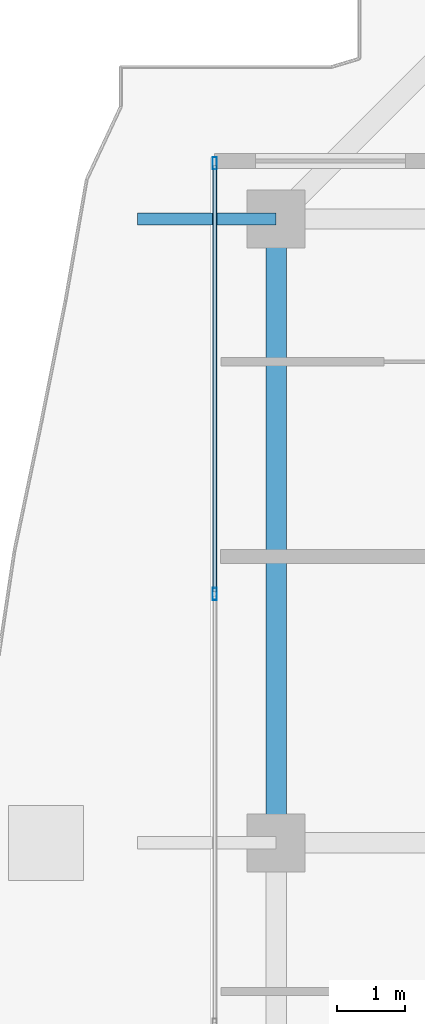
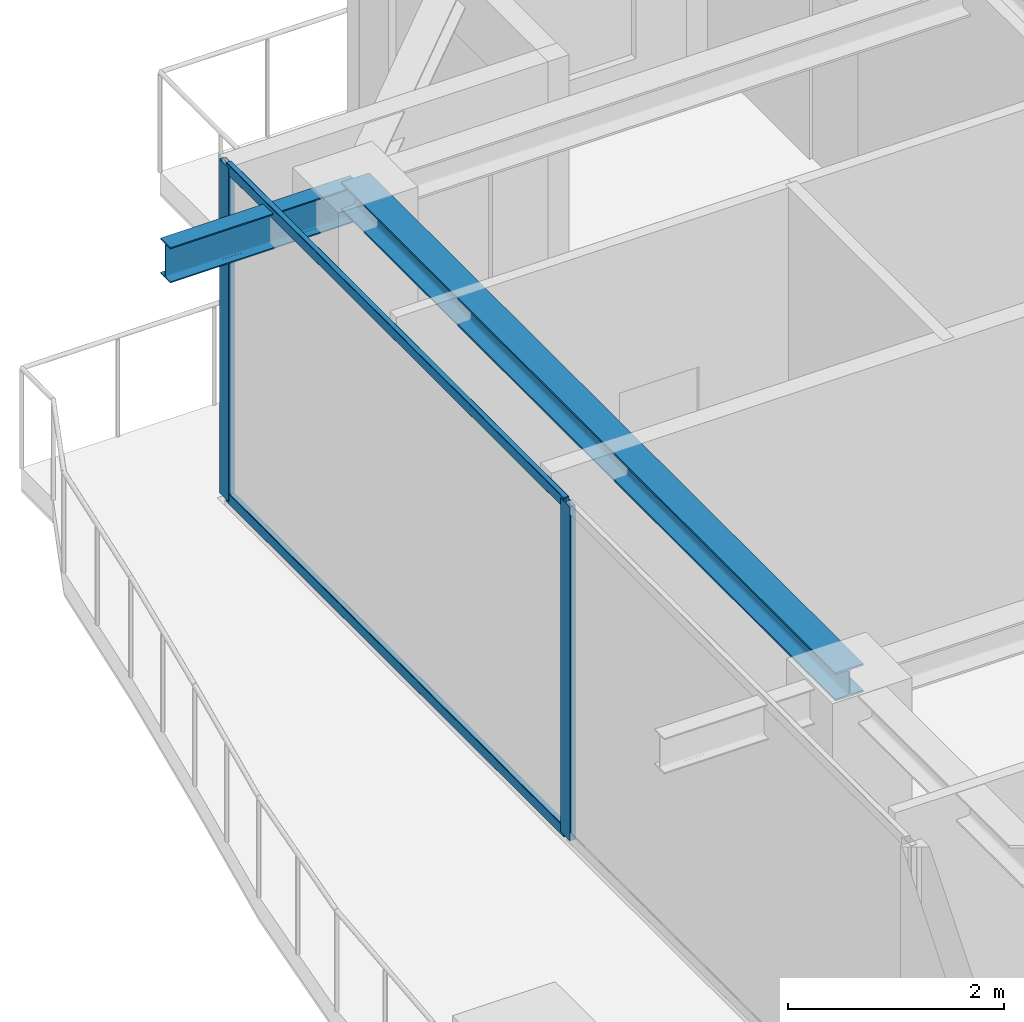
# One storey, part 16 of 36: 4 members, 2 beams, 1 element without a shape of its own.
"""IFC4 building model written with IfcOpenShell, lengths in metres."""

from ifc_helpers import new_model, si_unit, direction, frame, origin, origin_2d, place, context, subcontext, project, spatial, hollow_rectangle, i_section, extrude, source, transform, mapped, material, layer, layer_set, material_profile, profile_set, type_object, element, aggregate, save


model = new_model("IFC4")

# Units and contexts
model_context = context("Model", 3, precision=1e-05, world=origin(), true_north=direction((0.0, 1.0)))
body_context = subcontext(model_context, "Body", "Model", "MODEL_VIEW")
ifc_project = project(units=[si_unit("LENGTHUNIT", "METRE"), si_unit("AREAUNIT", "SQUARE_METRE"), si_unit("VOLUMEUNIT", "CUBIC_METRE"), si_unit("PLANEANGLEUNIT", "RADIAN"), si_unit("MASSUNIT", "GRAM", prefix="KILO")], contexts=[model_context])

# Site, building, storey
site_placement = place(None, origin())
site = spatial("IfcSite", under=ifc_project, at=site_placement, CompositionType="ELEMENT")
building_placement = place(site_placement, origin())
building = spatial("IfcBuilding", under=site, at=building_placement, Name="Serunith Strait Residences", CompositionType="ELEMENT")
storey_placement = place(building_placement, frame((0.0, 0.0, 338.0)))
storey = spatial("IfcBuildingStorey", under=building, at=storey_placement, Name="L84", CompositionType="ELEMENT", Elevation=338.0)

# Beams
ifc_material_1 = material(Name="Steel S355J2", Category="steel")
ifc_material_profile_1 = material_profile(ifc_material_1, i_section(OverallWidth=0.300048828125, OverallDepth=0.320068359375, WebThickness=0.011474609375, FlangeThickness=0.0205078125, FilletRadius=0.027099609375, at=origin_2d()), Name="HEB 320")
ifc_profile_set_1 = profile_set([ifc_material_profile_1], Name="Steel S355J2")
beam_type_1 = type_object("IfcBeamType", Name="BM-HEB320", PredefinedType="BEAM", material=ifc_profile_set_1)
shared_shape_1 = source(origin(), body_context, "Body", "SweptSolid", [
    extrude(i_section(OverallWidth=0.300048828125, OverallDepth=0.320068359375, WebThickness=0.011474609375, FlangeThickness=0.0205078125, FilletRadius=0.027099609375, at=origin_2d()), origin(), (0.0, 0.0, 1.0), 9.150146484375),
])
beam_1_placement = place(storey_placement, frame((11.699951171875, 38.550048828125, 3.626953125), z_axis=(0.0, -1.0, 0.0), x_axis=(1.0, 0.0, 0.0)))
element("IfcBeam", 1, at=beam_1_placement, inside=storey, type_object=beam_type_1, Name="L84 Perimeter Ring Beam 13", PredefinedType="BEAM", context=body_context, shape_type="MappedRepresentation", body=[
    mapped(shared_shape_1, transform((0.0, 0.0, 0.0), scale=1.0)),
])
ifc_material_profile_2 = material_profile(ifc_material_1, i_section(OverallWidth=0.179931640625, OverallDepth=0.39990234375, WebThickness=0.008544921875, FlangeThickness=0.013427734375, FilletRadius=0.02099609375, at=origin_2d()), Name="IPE 400")
ifc_profile_set_2 = profile_set([ifc_material_profile_2], Name="Steel S355J2")
beam_type_2 = type_object("IfcBeamType", Name="BM-IPE400", PredefinedType="JOIST", material=ifc_profile_set_2)
shared_shape_2 = source(origin(), body_context, "Body", "SweptSolid", [
    extrude(i_section(OverallWidth=0.179931640625, OverallDepth=0.39990234375, WebThickness=0.008544921875, FlangeThickness=0.013427734375, FilletRadius=0.02099609375, at=origin_2d()), origin(), (0.0, 0.0, 1.0), 2.030029296875),
])
beam_2_placement = place(storey_placement, frame((11.699951171875, 38.550048828125, 3.556884765625), z_axis=(-1.0, 0.0, 0.0), x_axis=(0.0, -1.0, 0.0)))
element("IfcBeam", 2, at=beam_2_placement, inside=storey, type_object=beam_type_2, Name="L85 Cantilevered Balcony Rib TC-W4", PredefinedType="JOIST", context=body_context, shape_type="MappedRepresentation", body=[
    mapped(shared_shape_2, transform((0.0, 0.0, 0.0), scale=1.0)),
])

# Curtain wall, members
ifc_material_2 = material(Name="Brushed Stainless-Silver Aluminium", Category="aluminium")
ifc_layer = layer(ifc_material_2, 0.199951171875, Name="Brushed Stainless-Silver Aluminium")
ifc_layer_set = layer_set([ifc_layer], Name="Brushed Stainless-Silver Aluminium")
curtain_wall_type = type_object("IfcCurtainWallType", Name="CW-SYS5", PredefinedType="NOTDEFINED", material=ifc_layer_set)
curtain_wall_placement = place(storey_placement, origin())
curtain_wall = element("IfcCurtainWall", 3, at=curtain_wall_placement, inside=storey, type_object=curtain_wall_type, Name="L84 W Unitised Fritted Curtain Wall", PredefinedType="NOTDEFINED")
ifc_material_profile_3 = material_profile(ifc_material_2, hollow_rectangle(XDim=0.06494140625, YDim=0.179931640625, WallThickness=0.00341796875, InnerFilletRadius=0.00537109375, OuterFilletRadius=0.0087890625, at=origin_2d()), Name="ALU 180x65x3.5")
ifc_profile_set_3 = profile_set([ifc_material_profile_3], Name="Brushed Stainless-Silver Aluminium")
member_type_1 = type_object("IfcMemberType", Name="CW-SYS5-MULL", PredefinedType="MULLION", material=ifc_profile_set_3)
shared_shape_3 = source(origin(), body_context, "Body", "SweptSolid", [
    extrude(hollow_rectangle(XDim=0.06494140625, YDim=0.179931640625, WallThickness=0.00341796875, InnerFilletRadius=0.00537109375, OuterFilletRadius=0.0087890625, at=origin_2d()), origin(), (0.0, 0.0, 1.0), 3.77490234375),
])
member_1_placement = place(storey_placement, frame((10.800048828125, 39.367431640625, 0.0), z_axis=(0.0, 0.0, 1.0), x_axis=(1.0, 0.0, 0.0)))
member_1 = element("IfcMember", 4, at=member_1_placement, type_object=member_type_1, Name="CW-5 mullion 1", PredefinedType="MULLION", context=body_context, shape_type="MappedRepresentation", body=[
    mapped(shared_shape_3, transform((0.0, 0.0, 0.0), scale=1.0)),
])
member_2_placement = place(storey_placement, frame((10.800048828125, 33.050048828125, 0.0), z_axis=(0.0, 0.0, 1.0), x_axis=(1.0, 0.0, 0.0)))
member_2 = element("IfcMember", 5, at=member_2_placement, type_object=member_type_1, Name="CW-5 mullion 2", PredefinedType="MULLION", context=body_context, shape_type="MappedRepresentation", body=[
    mapped(shared_shape_3, transform((0.0, 0.0, 0.0), scale=1.0)),
])
ifc_material_profile_4 = material_profile(ifc_material_2, hollow_rectangle(XDim=0.06005859375, YDim=0.1201171875, WallThickness=0.00341796875, InnerFilletRadius=0.00537109375, OuterFilletRadius=0.0087890625, at=origin_2d()), Name="ALU 120x60x3.5")
ifc_profile_set_4 = profile_set([ifc_material_profile_4], Name="Brushed Stainless-Silver Aluminium")
member_type_2 = type_object("IfcMemberType", Name="CW-SYS5-TRAN", PredefinedType="USERDEFINED", material=ifc_profile_set_4)
shared_shape_4 = source(origin(), body_context, "Body", "SweptSolid", [
    extrude(hollow_rectangle(XDim=0.06005859375, YDim=0.1201171875, WallThickness=0.00341796875, InnerFilletRadius=0.00537109375, OuterFilletRadius=0.0087890625, at=origin_2d()), origin(), (0.0, 0.0, 1.0), 6.25244140625),
])
member_3_placement = place(storey_placement, frame((10.800048828125, 39.3349609375, 0.030029296875), z_axis=(0.0, -1.0, 0.0), x_axis=(1.0, 0.0, 0.0)))
member_3 = element("IfcMember", 6, at=member_3_placement, type_object=member_type_2, Name="CW-5 transom 1.1", ObjectType="TRANSOM", PredefinedType="USERDEFINED", context=body_context, shape_type="MappedRepresentation", body=[
    mapped(shared_shape_4, transform((0.0, 0.0, 0.0), scale=1.0)),
])
member_4_placement = place(storey_placement, frame((10.800048828125, 39.3349609375, 3.7451171875), z_axis=(0.0, -1.0, 0.0), x_axis=(1.0, 0.0, 0.0)))
member_4 = element("IfcMember", 7, at=member_4_placement, type_object=member_type_2, Name="CW-5 transom 1.2", ObjectType="TRANSOM", PredefinedType="USERDEFINED", context=body_context, shape_type="MappedRepresentation", body=[
    mapped(shared_shape_4, transform((0.0, 0.0, 0.0), scale=1.0)),
])
aggregate(curtain_wall, [member_1, member_2, member_3, member_4])

save(model, "model.ifc")
